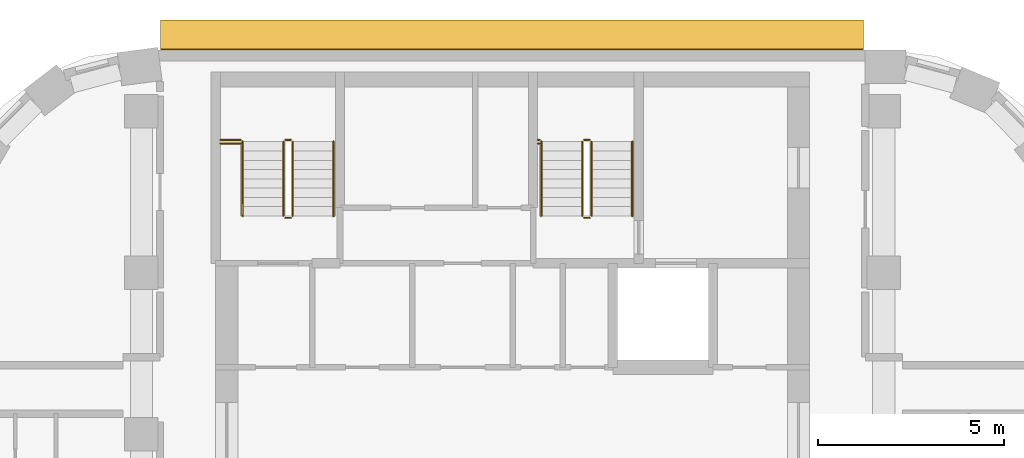
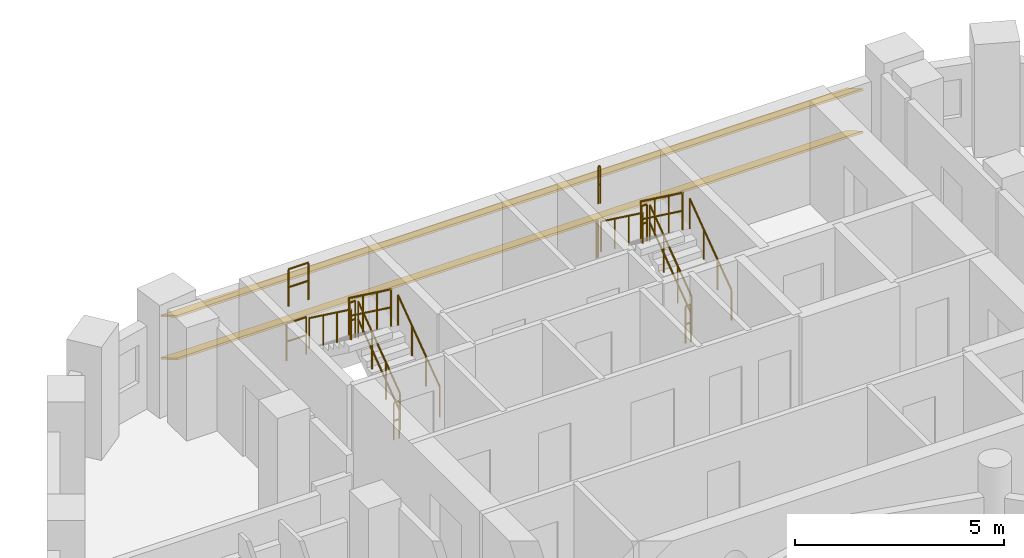
# One storey, part 12 of 12: 16 railings, 2 shading devices.
"""IFC4 building model written with IfcOpenShell, lengths in metres."""

from ifc_helpers import new_model, si_unit, direction, frame, origin, origin_2d, place, context, subcontext, project, spatial, rectangle, circle, extrude, material, material_profile, profile_set, type_object, element, save


model = new_model("IFC4")

# Units and contexts
model_context = context("Model", 3, precision=1e-05, world=origin(), true_north=direction((0.0, 1.0)))
body_context = subcontext(model_context, "Body", "Model", "MODEL_VIEW")
ifc_project = project(units=[si_unit("LENGTHUNIT", "METRE"), si_unit("AREAUNIT", "SQUARE_METRE"), si_unit("VOLUMEUNIT", "CUBIC_METRE"), si_unit("PLANEANGLEUNIT", "RADIAN"), si_unit("MASSUNIT", "GRAM", prefix="KILO")], contexts=[model_context])

# Site, building, storey
site_placement = place(None, origin())
site = spatial("IfcSite", under=ifc_project, at=site_placement, CompositionType="ELEMENT")
building_placement = place(site_placement, origin())
building = spatial("IfcBuilding", under=site, at=building_placement, Name="Nakaniwa Court", CompositionType="ELEMENT")
storey_placement = place(building_placement, frame((0.0, 0.0, 236.10009765625)))
storey = spatial("IfcBuildingStorey", under=building, at=storey_placement, Name="L61", CompositionType="ELEMENT", Elevation=236.10009765625)

# Shading devices
ifc_material_1 = material(Name="Perforated charcoal ceramic louvre blade")
ifc_material_profile = material_profile(ifc_material_1, rectangle(XDim=0.89990234375, YDim=0.050048828125, at=origin_2d()), Name="Perforated ceramic louvre blade")
ifc_profile_set = profile_set([ifc_material_profile], Name="Perforated charcoal ceramic louvre blade")
shading_device_type = type_object("IfcShadingDeviceType", Name="Perforated ceramic louvre blade", PredefinedType="JALOUSIE", material=ifc_profile_set)
for number, where, z_axis, x_axis, name in (
    (1, (89.44921875, 103.05224609375, 0.5498046875), (-1.0, 0.0, 0.0), (0.0, -0.866025403784, 0.5), "L61 perforated ceramic louvre blade w08 1"),
    (2, (89.44921875, 103.05224609375, 1.793212890625), (-1.0, 0.0, 0.0), (0.0, -0.866025403784, 0.5), "L61 perforated ceramic louvre blade w08 2"),
):
    element("IfcShadingDevice", number, at=place(storey_placement, frame(where, z_axis=z_axis, x_axis=x_axis)), inside=storey, type_object=shading_device_type, Name=name, PredefinedType="JALOUSIE", context=body_context, shape_type="SweptSolid", body=[
        extrude(rectangle(XDim=0.89990234375, YDim=0.050048828125, at=origin_2d()), origin(), (0.0, 0.0, 1.0), 18.933349609375),
    ])

# Railings
ifc_material_2 = material(Name="Black powder coated steel guard", Category="steel")
railing_type_1 = type_object("IfcRailingType", Name="Stair guard 1100", PredefinedType="GUARDRAIL", material=ifc_material_2)
railing_1_placement = place(storey_placement, frame((74.074951171875, 98.175048828125, 0.183349609375)))
element("IfcRailing", 3, at=railing_1_placement, inside=storey, type_object=railing_type_1, Name="L61 ST1 stair guard 1", PredefinedType="GUARDRAIL", context=body_context, shape_type="SweptSolid", body=[
    extrude(circle(Radius=0.02392578125, at=origin_2d()), frame((0.0, 0.0, 1.076171875), z_axis=(0.0, 0.806426902644, 0.591333789573), x_axis=(-1.0, 0.0, 0.0)), (0.0, 0.0, 1.0), 2.47998046875),
    extrude(circle(Radius=0.02392578125, at=origin_2d()), frame((0.0, 0.0, 0.550048828125), z_axis=(0.0, 0.806426902644, 0.591333789573), x_axis=(-1.0, 0.0, 0.0)), (0.0, 0.0, 1.0), 2.47998046875),
    extrude(circle(Radius=0.02099609375, at=origin_2d()), origin(), (0.0, 0.0, 1.0), 1.052001953125),
    extrude(circle(Radius=0.02099609375, at=origin_2d()), frame((0.0, 0.666748046875, 0.48876953125)), (0.0, 0.0, 1.0), 1.052001953125),
    extrude(circle(Radius=0.02099609375, at=origin_2d()), frame((0.0, 1.333251953125, 0.977783203125)), (0.0, 0.0, 1.0), 1.052001953125),
    extrude(circle(Radius=0.02099609375, at=origin_2d()), frame((0.0, 2.0, 1.466552734375)), (0.0, 0.0, 1.0), 1.052001953125),
])
railing_2_placement = place(storey_placement, frame((74.02490234375, 100.22509765625, 1.64990234375)))
element("IfcRailing", 4, at=railing_2_placement, inside=storey, type_object=railing_type_1, Name="L61 ST1 stair guard 2", PredefinedType="GUARDRAIL", context=body_context, shape_type="SweptSolid", body=[
    extrude(circle(Radius=0.02392578125, at=origin_2d()), frame((0.0, 0.0, 1.076171875), z_axis=(-1.0, 0.0, 0.0), x_axis=(0.0, -1.0, 0.0)), (0.0, 0.0, 1.0), 0.14990234375),
    extrude(circle(Radius=0.02392578125, at=origin_2d()), frame((0.0, 0.0, 0.550048828125), z_axis=(-1.0, 0.0, 0.0), x_axis=(0.0, -1.0, 0.0)), (0.0, 0.0, 1.0), 0.14990234375),
    extrude(circle(Radius=0.02099609375, at=origin_2d()), origin(), (0.0, 0.0, 1.0), 1.052001953125),
    extrude(circle(Radius=0.02099609375, at=origin_2d()), frame((-0.14990234375, 0.0, 0.0)), (0.0, 0.0, 1.0), 1.052001953125),
])
railing_3_placement = place(storey_placement, frame((73.824951171875, 100.175048828125, 1.833251953125)))
element("IfcRailing", 5, at=railing_3_placement, inside=storey, type_object=railing_type_1, Name="L61 ST1 stair guard 3", PredefinedType="GUARDRAIL", context=body_context, shape_type="SweptSolid", body=[
    extrude(circle(Radius=0.02392578125, at=origin_2d()), frame((0.0, 0.0, 1.076171875), z_axis=(0.0, -0.806426902644, 0.591333789573), x_axis=(1.0, 0.0, 0.0)), (0.0, 0.0, 1.0), 2.47998046875),
    extrude(circle(Radius=0.02392578125, at=origin_2d()), frame((0.0, 0.0, 0.550048828125), z_axis=(0.0, -0.806426902644, 0.591333789573), x_axis=(1.0, 0.0, 0.0)), (0.0, 0.0, 1.0), 2.47998046875),
    extrude(circle(Radius=0.02099609375, at=origin_2d()), origin(), (0.0, 0.0, 1.0), 1.052001953125),
    extrude(circle(Radius=0.02099609375, at=origin_2d()), frame((0.0, -0.666748046875, 0.48876953125)), (0.0, 0.0, 1.0), 1.052001953125),
    extrude(circle(Radius=0.02099609375, at=origin_2d()), frame((0.0, -1.333251953125, 0.977783203125)), (0.0, 0.0, 1.0), 1.052001953125),
    extrude(circle(Radius=0.02099609375, at=origin_2d()), frame((0.0, -2.0, 1.466552734375)), (0.0, 0.0, 1.0), 1.052001953125),
])
railing_4_placement = place(storey_placement, frame((74.02490234375, 98.125, 0.0)))
element("IfcRailing", 6, at=railing_4_placement, inside=storey, type_object=railing_type_1, Name="L61 ST1 stair guard 4", PredefinedType="GUARDRAIL", context=body_context, shape_type="SweptSolid", body=[
    extrude(circle(Radius=0.02392578125, at=origin_2d()), frame((0.0, 0.0, 1.076171875), z_axis=(-1.0, 0.0, 0.0), x_axis=(0.0, -1.0, 0.0)), (0.0, 0.0, 1.0), 0.14990234375),
    extrude(circle(Radius=0.02392578125, at=origin_2d()), frame((0.0, 0.0, 0.550048828125), z_axis=(-1.0, 0.0, 0.0), x_axis=(0.0, -1.0, 0.0)), (0.0, 0.0, 1.0), 0.14990234375),
    extrude(circle(Radius=0.02099609375, at=origin_2d()), origin(), (0.0, 0.0, 1.0), 1.052001953125),
    extrude(circle(Radius=0.02099609375, at=origin_2d()), frame((-0.14990234375, 0.0, 0.0)), (0.0, 0.0, 1.0), 1.052001953125),
])
for number, where, name in (
    (7, (72.125, 100.22509765625, 1.64990234375), "L61 ST1 landing side guard 1W"),
    (8, (72.125, 100.125, 3.2998046875), "L61 ST1 floor edge guard 1W"),
):
    element("IfcRailing", number, at=place(storey_placement, frame(where)), inside=storey, type_object=railing_type_1, Name=name, PredefinedType="GUARDRAIL", context=body_context, shape_type="SweptSolid", body=[
        extrude(circle(Radius=0.02392578125, at=origin_2d()), frame((0.0, 0.0, 1.076171875), z_axis=(1.0, 0.0, 0.0), x_axis=(0.0, 1.0, 0.0)), (0.0, 0.0, 1.0), 0.550048828125),
        extrude(circle(Radius=0.02392578125, at=origin_2d()), frame((0.0, 0.0, 0.550048828125), z_axis=(1.0, 0.0, 0.0), x_axis=(0.0, 1.0, 0.0)), (0.0, 0.0, 1.0), 0.550048828125),
        extrude(circle(Radius=0.02099609375, at=origin_2d()), origin(), (0.0, 0.0, 1.0), 1.052001953125),
        extrude(circle(Radius=0.02099609375, at=origin_2d()), frame((0.550048828125, 0.0, 0.0)), (0.0, 0.0, 1.0), 1.052001953125),
    ])
railing_5_placement = place(storey_placement, frame((82.125, 98.175048828125, 0.183349609375)))
element("IfcRailing", 9, at=railing_5_placement, inside=storey, type_object=railing_type_1, Name="L61 ST2 stair guard 1", PredefinedType="GUARDRAIL", context=body_context, shape_type="SweptSolid", body=[
    extrude(circle(Radius=0.02392578125, at=origin_2d()), frame((0.0, 0.0, 1.076171875), z_axis=(0.0, 0.806426902644, 0.591333789573), x_axis=(-1.0, 0.0, 0.0)), (0.0, 0.0, 1.0), 2.47998046875),
    extrude(circle(Radius=0.02392578125, at=origin_2d()), frame((0.0, 0.0, 0.550048828125), z_axis=(0.0, 0.806426902644, 0.591333789573), x_axis=(-1.0, 0.0, 0.0)), (0.0, 0.0, 1.0), 2.47998046875),
    extrude(circle(Radius=0.02099609375, at=origin_2d()), origin(), (0.0, 0.0, 1.0), 1.052001953125),
    extrude(circle(Radius=0.02099609375, at=origin_2d()), frame((0.0, 0.666748046875, 0.48876953125)), (0.0, 0.0, 1.0), 1.052001953125),
    extrude(circle(Radius=0.02099609375, at=origin_2d()), frame((0.0, 1.333251953125, 0.977783203125)), (0.0, 0.0, 1.0), 1.052001953125),
    extrude(circle(Radius=0.02099609375, at=origin_2d()), frame((0.0, 2.0, 1.466552734375)), (0.0, 0.0, 1.0), 1.052001953125),
])
railing_6_placement = place(storey_placement, frame((82.074951171875, 100.22509765625, 1.64990234375)))
element("IfcRailing", 10, at=railing_6_placement, inside=storey, type_object=railing_type_1, Name="L61 ST2 stair guard 2", PredefinedType="GUARDRAIL", context=body_context, shape_type="SweptSolid", body=[
    extrude(circle(Radius=0.02392578125, at=origin_2d()), frame((0.0, 0.0, 1.076171875), z_axis=(-1.0, 0.0, 0.0), x_axis=(0.0, -1.0, 0.0)), (0.0, 0.0, 1.0), 0.14990234375),
    extrude(circle(Radius=0.02392578125, at=origin_2d()), frame((0.0, 0.0, 0.550048828125), z_axis=(-1.0, 0.0, 0.0), x_axis=(0.0, -1.0, 0.0)), (0.0, 0.0, 1.0), 0.14990234375),
    extrude(circle(Radius=0.02099609375, at=origin_2d()), origin(), (0.0, 0.0, 1.0), 1.052001953125),
    extrude(circle(Radius=0.02099609375, at=origin_2d()), frame((-0.14990234375, 0.0, 0.0)), (0.0, 0.0, 1.0), 1.052001953125),
])
railing_7_placement = place(storey_placement, frame((81.875, 100.175048828125, 1.833251953125)))
element("IfcRailing", 11, at=railing_7_placement, inside=storey, type_object=railing_type_1, Name="L61 ST2 stair guard 3", PredefinedType="GUARDRAIL", context=body_context, shape_type="SweptSolid", body=[
    extrude(circle(Radius=0.02392578125, at=origin_2d()), frame((0.0, 0.0, 1.076171875), z_axis=(0.0, -0.806426902644, 0.591333789573), x_axis=(1.0, 0.0, 0.0)), (0.0, 0.0, 1.0), 2.47998046875),
    extrude(circle(Radius=0.02392578125, at=origin_2d()), frame((0.0, 0.0, 0.550048828125), z_axis=(0.0, -0.806426902644, 0.591333789573), x_axis=(1.0, 0.0, 0.0)), (0.0, 0.0, 1.0), 2.47998046875),
    extrude(circle(Radius=0.02099609375, at=origin_2d()), origin(), (0.0, 0.0, 1.0), 1.052001953125),
    extrude(circle(Radius=0.02099609375, at=origin_2d()), frame((0.0, -0.666748046875, 0.48876953125)), (0.0, 0.0, 1.0), 1.052001953125),
    extrude(circle(Radius=0.02099609375, at=origin_2d()), frame((0.0, -1.333251953125, 0.977783203125)), (0.0, 0.0, 1.0), 1.052001953125),
    extrude(circle(Radius=0.02099609375, at=origin_2d()), frame((0.0, -2.0, 1.466552734375)), (0.0, 0.0, 1.0), 1.052001953125),
])
railing_8_placement = place(storey_placement, frame((82.074951171875, 98.125, 0.0)))
element("IfcRailing", 12, at=railing_8_placement, inside=storey, type_object=railing_type_1, Name="L61 ST2 stair guard 4", PredefinedType="GUARDRAIL", context=body_context, shape_type="SweptSolid", body=[
    extrude(circle(Radius=0.02392578125, at=origin_2d()), frame((0.0, 0.0, 1.076171875), z_axis=(-1.0, 0.0, 0.0), x_axis=(0.0, -1.0, 0.0)), (0.0, 0.0, 1.0), 0.14990234375),
    extrude(circle(Radius=0.02392578125, at=origin_2d()), frame((0.0, 0.0, 0.550048828125), z_axis=(-1.0, 0.0, 0.0), x_axis=(0.0, -1.0, 0.0)), (0.0, 0.0, 1.0), 0.14990234375),
    extrude(circle(Radius=0.02099609375, at=origin_2d()), origin(), (0.0, 0.0, 1.0), 1.052001953125),
    extrude(circle(Radius=0.02099609375, at=origin_2d()), frame((-0.14990234375, 0.0, 0.0)), (0.0, 0.0, 1.0), 1.052001953125),
])
for number, where, name in (
    (13, (80.675048828125, 100.22509765625, 1.64990234375), "L61 ST2 landing side guard 1W"),
    (14, (80.675048828125, 100.125, 3.2998046875), "L61 ST2 floor edge guard 1W"),
):
    element("IfcRailing", number, at=place(storey_placement, frame(where)), inside=storey, type_object=railing_type_1, Name=name, PredefinedType="GUARDRAIL", context=body_context, shape_type="SweptSolid", body=[
        extrude(circle(Radius=0.02392578125, at=origin_2d()), frame((0.0, 0.0, 1.076171875), z_axis=(1.0, 0.0, 0.0), x_axis=(0.0, 1.0, 0.0)), (0.0, 0.0, 1.0), 0.050048828125),
        extrude(circle(Radius=0.02392578125, at=origin_2d()), frame((0.0, 0.0, 0.550048828125), z_axis=(1.0, 0.0, 0.0), x_axis=(0.0, 1.0, 0.0)), (0.0, 0.0, 1.0), 0.050048828125),
        extrude(circle(Radius=0.02099609375, at=origin_2d()), origin(), (0.0, 0.0, 1.0), 1.052001953125),
        extrude(circle(Radius=0.02099609375, at=origin_2d()), frame((0.050048828125, 0.0, 0.0)), (0.0, 0.0, 1.0), 1.052001953125),
    ])
ifc_material_3 = material(Name="Black powder coated steel handrail", Category="steel")
railing_type_2 = type_object("IfcRailingType", Name="Stair handrail 900", PredefinedType="HANDRAIL", material=ifc_material_3)
railing_9_placement = place(storey_placement, frame((75.175048828125, 98.175048828125, 0.183349609375)))
element("IfcRailing", 15, at=railing_9_placement, inside=storey, type_object=railing_type_2, Name="L61 ST1 stair handrail 1", PredefinedType="HANDRAIL", context=body_context, shape_type="SweptSolid", body=[
    extrude(circle(Radius=0.02392578125, at=origin_2d()), frame((0.0, 0.0, 0.8759765625), z_axis=(0.0, 0.806426902644, 0.591333789573), x_axis=(-1.0, 0.0, 0.0)), (0.0, 0.0, 1.0), 2.47998046875),
    extrude(circle(Radius=0.02099609375, at=origin_2d()), origin(), (0.0, 0.0, 1.0), 0.851806640625),
    extrude(circle(Radius=0.02099609375, at=origin_2d()), frame((0.0, 0.666748046875, 0.48876953125)), (0.0, 0.0, 1.0), 0.851806640625),
    extrude(circle(Radius=0.02099609375, at=origin_2d()), frame((0.0, 1.333251953125, 0.977783203125)), (0.0, 0.0, 1.0), 0.851806640625),
    extrude(circle(Radius=0.02099609375, at=origin_2d()), frame((0.0, 2.0, 1.466552734375)), (0.0, 0.0, 1.0), 0.851806640625),
])
railing_10_placement = place(storey_placement, frame((72.72509765625, 100.175048828125, 1.833251953125)))
element("IfcRailing", 16, at=railing_10_placement, inside=storey, type_object=railing_type_2, Name="L61 ST1 stair handrail 2", PredefinedType="HANDRAIL", context=body_context, shape_type="SweptSolid", body=[
    extrude(circle(Radius=0.02392578125, at=origin_2d()), frame((0.0, 0.0, 0.8759765625), z_axis=(0.0, -0.806426902644, 0.591333789573), x_axis=(1.0, 0.0, 0.0)), (0.0, 0.0, 1.0), 2.47998046875),
    extrude(circle(Radius=0.02099609375, at=origin_2d()), origin(), (0.0, 0.0, 1.0), 0.851806640625),
    extrude(circle(Radius=0.02099609375, at=origin_2d()), frame((0.0, -0.666748046875, 0.48876953125)), (0.0, 0.0, 1.0), 0.851806640625),
    extrude(circle(Radius=0.02099609375, at=origin_2d()), frame((0.0, -1.333251953125, 0.977783203125)), (0.0, 0.0, 1.0), 0.851806640625),
    extrude(circle(Radius=0.02099609375, at=origin_2d()), frame((0.0, -2.0, 1.466552734375)), (0.0, 0.0, 1.0), 0.851806640625),
])
railing_11_placement = place(storey_placement, frame((83.22509765625, 98.175048828125, 0.183349609375)))
element("IfcRailing", 17, at=railing_11_placement, inside=storey, type_object=railing_type_2, Name="L61 ST2 stair handrail 1", PredefinedType="HANDRAIL", context=body_context, shape_type="SweptSolid", body=[
    extrude(circle(Radius=0.02392578125, at=origin_2d()), frame((0.0, 0.0, 0.8759765625), z_axis=(0.0, 0.806426902644, 0.591333789573), x_axis=(-1.0, 0.0, 0.0)), (0.0, 0.0, 1.0), 2.47998046875),
    extrude(circle(Radius=0.02099609375, at=origin_2d()), origin(), (0.0, 0.0, 1.0), 0.851806640625),
    extrude(circle(Radius=0.02099609375, at=origin_2d()), frame((0.0, 0.666748046875, 0.48876953125)), (0.0, 0.0, 1.0), 0.851806640625),
    extrude(circle(Radius=0.02099609375, at=origin_2d()), frame((0.0, 1.333251953125, 0.977783203125)), (0.0, 0.0, 1.0), 0.851806640625),
    extrude(circle(Radius=0.02099609375, at=origin_2d()), frame((0.0, 2.0, 1.466552734375)), (0.0, 0.0, 1.0), 0.851806640625),
])
railing_12_placement = place(storey_placement, frame((80.77490234375, 100.175048828125, 1.833251953125)))
element("IfcRailing", 18, at=railing_12_placement, inside=storey, type_object=railing_type_2, Name="L61 ST2 stair handrail 2", PredefinedType="HANDRAIL", context=body_context, shape_type="SweptSolid", body=[
    extrude(circle(Radius=0.02392578125, at=origin_2d()), frame((0.0, 0.0, 0.8759765625), z_axis=(0.0, -0.806426902644, 0.591333789573), x_axis=(1.0, 0.0, 0.0)), (0.0, 0.0, 1.0), 2.47998046875),
    extrude(circle(Radius=0.02099609375, at=origin_2d()), origin(), (0.0, 0.0, 1.0), 0.851806640625),
    extrude(circle(Radius=0.02099609375, at=origin_2d()), frame((0.0, -0.666748046875, 0.48876953125)), (0.0, 0.0, 1.0), 0.851806640625),
    extrude(circle(Radius=0.02099609375, at=origin_2d()), frame((0.0, -1.333251953125, 0.977783203125)), (0.0, 0.0, 1.0), 0.851806640625),
    extrude(circle(Radius=0.02099609375, at=origin_2d()), frame((0.0, -2.0, 1.466552734375)), (0.0, 0.0, 1.0), 0.851806640625),
])

save(model, "model.ifc")
